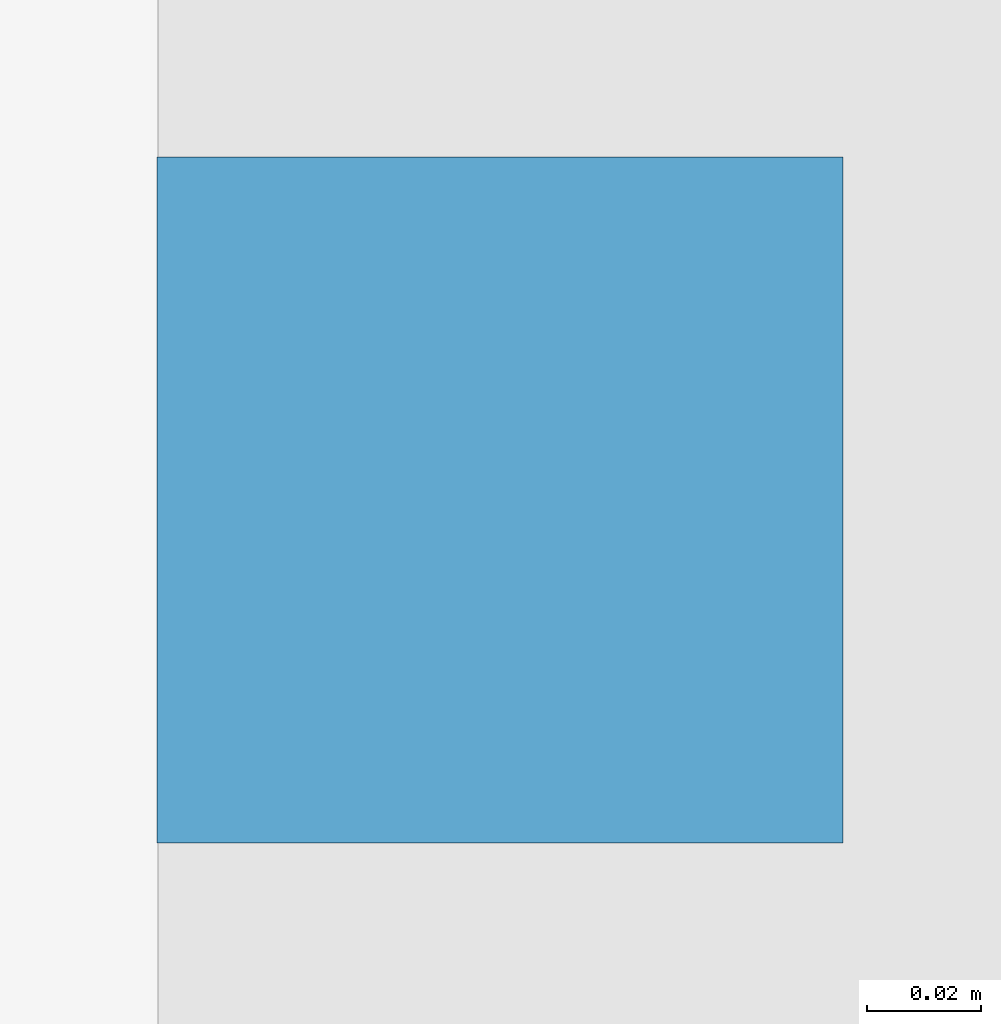
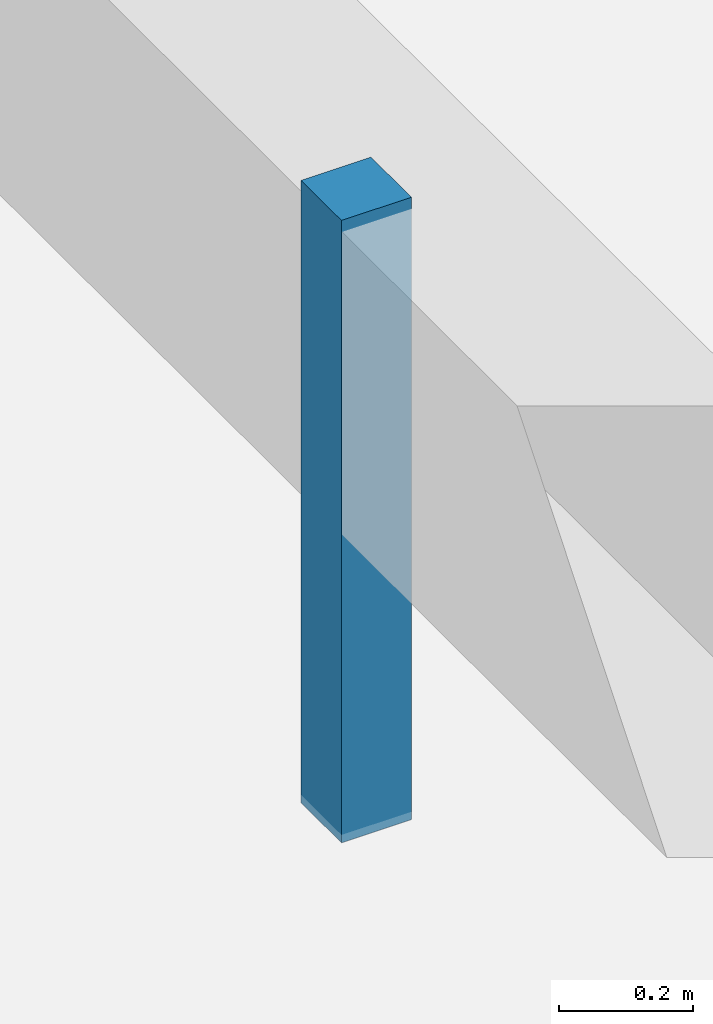
# One storey, part 25 of 41: 1 discrete accessory.
"""IFC4 building model written with IfcOpenShell, lengths in metres."""

from ifc_helpers import new_model, si_unit, direction, frame, origin, origin_2d, place, context, subcontext, project, spatial, rectangle, extrude, material, type_object, element, save


model = new_model("IFC4")

# Units and contexts
model_context = context("Model", 3, precision=1e-05, world=origin(), true_north=direction((0.0, 1.0)))
body_context = subcontext(model_context, "Body", "Model", "MODEL_VIEW")
ifc_project = project(units=[si_unit("LENGTHUNIT", "METRE"), si_unit("AREAUNIT", "SQUARE_METRE"), si_unit("VOLUMEUNIT", "CUBIC_METRE"), si_unit("PLANEANGLEUNIT", "RADIAN"), si_unit("MASSUNIT", "GRAM", prefix="KILO")], contexts=[model_context])

# Site, building, storey
site_placement = place(None, origin())
site = spatial("IfcSite", under=ifc_project, at=site_placement, CompositionType="ELEMENT")
building_placement = place(site_placement, origin())
building = spatial("IfcBuilding", under=site, at=building_placement, Name="Fikremerkos Civic Library", CompositionType="ELEMENT")
storey_placement = place(building_placement, frame((0.0, 0.0, -8.39990234375)))
storey = spatial("IfcBuildingStorey", under=building, at=storey_placement, Name="B02", CompositionType="ELEMENT", Elevation=-8.39990234375)

# Discrete accessory
ifc_material = material(Name="Galvanized Steel S275", Category="steel")
discrete_accessory_type = type_object("IfcDiscreteAccessoryType", Name="Ceiling hanger bracket BRK-01", PredefinedType="BRACKET", material=ifc_material)
discrete_accessory_placement = place(storey_placement, frame((12.699951171875, 34.39990234375, 2.75), z_axis=(0.0, 0.0, 1.0), x_axis=(1.0, 0.0, 0.0)))
element("IfcDiscreteAccessory", 1, at=discrete_accessory_placement, inside=storey, type_object=discrete_accessory_type, Name="Acoustic ceiling hanger bracket #2", PredefinedType="BRACKET", context=body_context, shape_type="SweptSolid", body=[
    extrude(rectangle(XDim=0.1201171875, YDim=0.1201171875, at=origin_2d()), origin(), (0.0, 0.0, 1.0), 1.1298828125),
])

save(model, "model.ifc")
